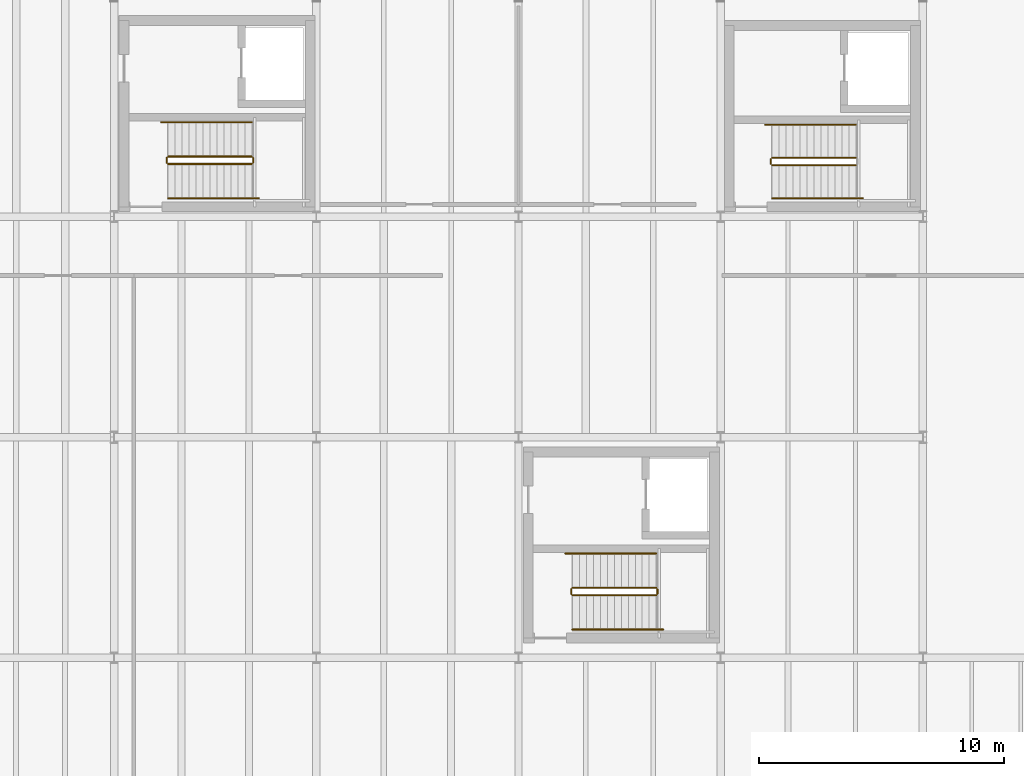
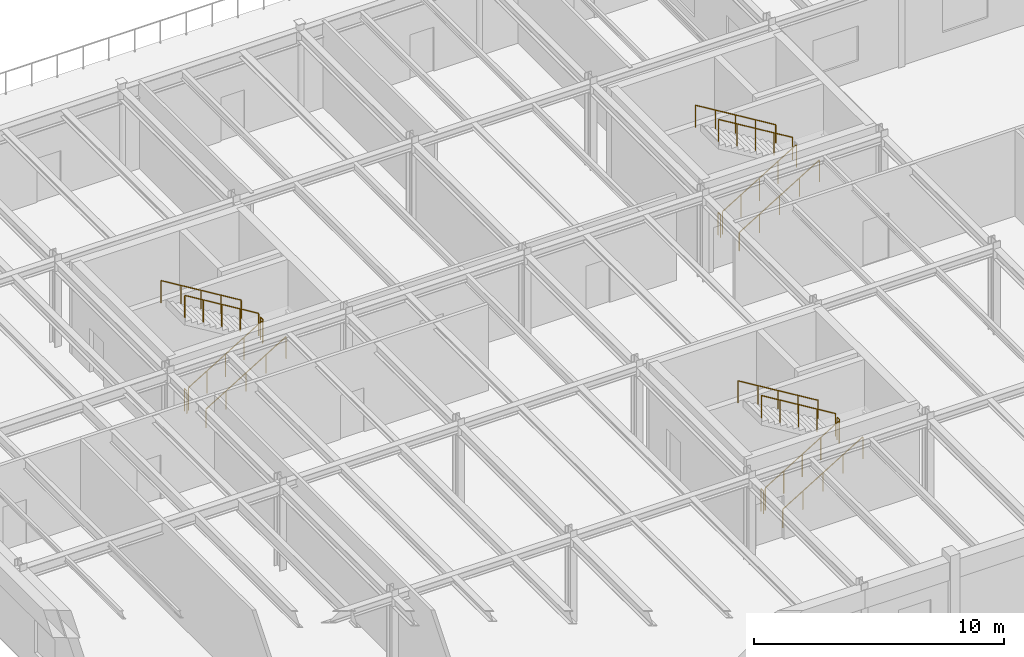
# One storey, part 58 of 64: 17 railings.
"""IFC4 building model written with IfcOpenShell, lengths in metres."""

from ifc_helpers import new_model, si_unit, direction, frame, origin, origin_2d, place, context, subcontext, project, spatial, circle, extrude, material, layer, layer_set, type_object, element, save


model = new_model("IFC4")

# Units and contexts
model_context = context("Model", 3, precision=1e-05, world=origin(), true_north=direction((0.0, 1.0)))
body_context = subcontext(model_context, "Body", "Model", "MODEL_VIEW")
ifc_project = project(units=[si_unit("LENGTHUNIT", "METRE"), si_unit("AREAUNIT", "SQUARE_METRE"), si_unit("VOLUMEUNIT", "CUBIC_METRE"), si_unit("PLANEANGLEUNIT", "RADIAN"), si_unit("MASSUNIT", "GRAM", prefix="KILO")], contexts=[model_context])

# Site, building, storey
site_placement = place(None, origin())
site = spatial("IfcSite", under=ifc_project, at=site_placement, CompositionType="ELEMENT")
building_placement = place(site_placement, origin())
building = spatial("IfcBuilding", under=site, at=building_placement, Name="Montealbar Specialist Clinic", CompositionType="ELEMENT")
storey_placement = place(building_placement, frame((0.0, 0.0, 5.10009765625)))
storey = spatial("IfcBuildingStorey", under=building, at=storey_placement, Name="L01", CompositionType="ELEMENT", Elevation=5.10009765625)

# Railings
ifc_material = material(Name="Steel S355", Category="steel")
ifc_layer_1 = layer(ifc_material, 0.050048828125, Name="Steel S355", Category="steel")
ifc_layer_set_1 = layer_set([ifc_layer_1], Name="Steel S355")
railing_type_1 = type_object("IfcRailingType", Name="RAIL-STAIR-BAL-1100", PredefinedType="BALUSTRADE", material=ifc_layer_set_1)
railing_1_placement = place(storey_placement, frame((68.199951171875, 29.14990234375, 0.173095703125)))
element("IfcRailing", 1, at=railing_1_placement, inside=storey, type_object=railing_type_1, Name="L01 ST-03 stair guard 1", PredefinedType="BALUSTRADE", context=body_context, shape_type="SweptSolid", body=[
    extrude(circle(Radius=0.02392578125, at=origin_2d()), frame((0.0, 0.0, 1.076171875), z_axis=(0.854745945586, 0.0, 0.519046595696), x_axis=(0.0, 1.0, 0.0)), (0.0, 0.0, 1.0), 4.00146484375),
    extrude(circle(Radius=0.02099609375, at=origin_2d()), frame((0.0, 0.0, -0.02490234375)), (0.0, 0.0, 1.0), 1.076904296875),
    extrude(circle(Radius=0.02099609375, at=origin_2d()), frame((0.85498046875, 0.0, 0.494140625)), (0.0, 0.0, 1.0), 1.076904296875),
    extrude(circle(Radius=0.02099609375, at=origin_2d()), frame((1.7099609375, 0.0, 1.013427734375)), (0.0, 0.0, 1.0), 1.076904296875),
    extrude(circle(Radius=0.02099609375, at=origin_2d()), frame((2.565185546875, 0.0, 1.53271484375)), (0.0, 0.0, 1.0), 1.076904296875),
    extrude(circle(Radius=0.02099609375, at=origin_2d()), frame((3.420166015625, 0.0, 2.052001953125)), (0.0, 0.0, 1.0), 1.076904296875),
])
railing_2_placement = place(storey_placement, frame((71.669921875, 29.199951171875, 2.25)))
element("IfcRailing", 2, at=railing_2_placement, inside=storey, type_object=railing_type_1, Name="L01 ST-03 stair guard 2", PredefinedType="BALUSTRADE", context=body_context, shape_type="SweptSolid", body=[
    extrude(circle(Radius=0.02392578125, at=origin_2d()), frame((0.0, 0.0, 1.076171875), z_axis=(0.0, 1.0, 0.0), x_axis=(-1.0, 0.0, 0.0)), (0.0, 0.0, 1.0), 0.199951171875),
    extrude(circle(Radius=0.02099609375, at=origin_2d()), frame((0.0, 0.0, -0.02490234375)), (0.0, 0.0, 1.0), 1.076904296875),
    extrude(circle(Radius=0.02099609375, at=origin_2d()), frame((0.0, 0.199951171875, -0.02490234375)), (0.0, 0.0, 1.0), 1.076904296875),
])
railing_3_placement = place(storey_placement, frame((71.6201171875, 29.449951171875, 2.423095703125)))
element("IfcRailing", 3, at=railing_3_placement, inside=storey, type_object=railing_type_1, Name="L01 ST-03 stair guard 3", PredefinedType="BALUSTRADE", context=body_context, shape_type="SweptSolid", body=[
    extrude(circle(Radius=0.02392578125, at=origin_2d()), frame((0.0, 0.0, 1.076171875), z_axis=(-0.854745945586, 0.0, 0.519046595696), x_axis=(0.0, -1.0, 0.0)), (0.0, 0.0, 1.0), 4.00146484375),
    extrude(circle(Radius=0.02099609375, at=origin_2d()), frame((0.0, 0.0, -0.02490234375)), (0.0, 0.0, 1.0), 1.076904296875),
    extrude(circle(Radius=0.02099609375, at=origin_2d()), frame((-0.85498046875, 0.0, 0.494140625)), (0.0, 0.0, 1.0), 1.076904296875),
    extrude(circle(Radius=0.02099609375, at=origin_2d()), frame((-1.7099609375, 0.0, 1.013427734375)), (0.0, 0.0, 1.0), 1.076904296875),
    extrude(circle(Radius=0.02099609375, at=origin_2d()), frame((-2.565185546875, 0.0, 1.53271484375)), (0.0, 0.0, 1.0), 1.076904296875),
    extrude(circle(Radius=0.02099609375, at=origin_2d()), frame((-3.420166015625, 0.0, 2.052001953125)), (0.0, 0.0, 1.0), 1.076904296875),
])
railing_4_placement = place(storey_placement, frame((68.14990234375, 29.199951171875, 0.0)))
element("IfcRailing", 4, at=railing_4_placement, inside=storey, type_object=railing_type_1, Name="L01 ST-03 stair guard 4", PredefinedType="BALUSTRADE", context=body_context, shape_type="SweptSolid", body=[
    extrude(circle(Radius=0.02392578125, at=origin_2d()), frame((0.0, 0.0, 1.076171875), z_axis=(0.0, 1.0, 0.0), x_axis=(-1.0, 0.0, 0.0)), (0.0, 0.0, 1.0), 0.199951171875),
    extrude(circle(Radius=0.02099609375, at=origin_2d()), frame((0.0, 0.0, -0.02490234375)), (0.0, 0.0, 1.0), 1.076904296875),
    extrude(circle(Radius=0.02099609375, at=origin_2d()), frame((0.0, 0.199951171875, -0.02490234375)), (0.0, 0.0, 1.0), 1.076904296875),
])
railing_5_placement = place(storey_placement, frame((84.699951171875, 11.550048828125, 0.173095703125)))
element("IfcRailing", 5, at=railing_5_placement, inside=storey, type_object=railing_type_1, Name="L01 ST-04 stair guard 1", PredefinedType="BALUSTRADE", context=body_context, shape_type="SweptSolid", body=[
    extrude(circle(Radius=0.02392578125, at=origin_2d()), frame((0.0, 0.0, 1.076171875), z_axis=(0.854745945586, 0.0, 0.519046595696), x_axis=(0.0, 1.0, 0.0)), (0.0, 0.0, 1.0), 4.00146484375),
    extrude(circle(Radius=0.02099609375, at=origin_2d()), frame((0.0, 0.0, -0.02490234375)), (0.0, 0.0, 1.0), 1.076904296875),
    extrude(circle(Radius=0.02099609375, at=origin_2d()), frame((0.85498046875, 0.0, 0.494140625)), (0.0, 0.0, 1.0), 1.076904296875),
    extrude(circle(Radius=0.02099609375, at=origin_2d()), frame((1.7099609375, 0.0, 1.013427734375)), (0.0, 0.0, 1.0), 1.076904296875),
    extrude(circle(Radius=0.02099609375, at=origin_2d()), frame((2.565185546875, 0.0, 1.53271484375)), (0.0, 0.0, 1.0), 1.076904296875),
    extrude(circle(Radius=0.02099609375, at=origin_2d()), frame((3.420166015625, 0.0, 2.052001953125)), (0.0, 0.0, 1.0), 1.076904296875),
])
railing_6_placement = place(storey_placement, frame((88.169921875, 11.60009765625, 2.25)))
element("IfcRailing", 6, at=railing_6_placement, inside=storey, type_object=railing_type_1, Name="L01 ST-04 stair guard 2", PredefinedType="BALUSTRADE", context=body_context, shape_type="SweptSolid", body=[
    extrude(circle(Radius=0.02392578125, at=origin_2d()), frame((0.0, 0.0, 1.076171875), z_axis=(0.0, 1.0, 0.0), x_axis=(-1.0, 0.0, 0.0)), (0.0, 0.0, 1.0), 0.199951171875),
    extrude(circle(Radius=0.02099609375, at=origin_2d()), frame((0.0, 0.0, -0.02490234375)), (0.0, 0.0, 1.0), 1.076904296875),
    extrude(circle(Radius=0.02099609375, at=origin_2d()), frame((0.0, 0.199951171875, -0.02490234375)), (0.0, 0.0, 1.0), 1.076904296875),
])
railing_7_placement = place(storey_placement, frame((88.1201171875, 11.85009765625, 2.423095703125)))
element("IfcRailing", 7, at=railing_7_placement, inside=storey, type_object=railing_type_1, Name="L01 ST-04 stair guard 3", PredefinedType="BALUSTRADE", context=body_context, shape_type="SweptSolid", body=[
    extrude(circle(Radius=0.02392578125, at=origin_2d()), frame((0.0, 0.0, 1.076171875), z_axis=(-0.854745945586, 0.0, 0.519046595696), x_axis=(0.0, -1.0, 0.0)), (0.0, 0.0, 1.0), 4.00146484375),
    extrude(circle(Radius=0.02099609375, at=origin_2d()), frame((0.0, 0.0, -0.02490234375)), (0.0, 0.0, 1.0), 1.076904296875),
    extrude(circle(Radius=0.02099609375, at=origin_2d()), frame((-0.85498046875, 0.0, 0.494140625)), (0.0, 0.0, 1.0), 1.076904296875),
    extrude(circle(Radius=0.02099609375, at=origin_2d()), frame((-1.7099609375, 0.0, 1.013427734375)), (0.0, 0.0, 1.0), 1.076904296875),
    extrude(circle(Radius=0.02099609375, at=origin_2d()), frame((-2.565185546875, 0.0, 1.53271484375)), (0.0, 0.0, 1.0), 1.076904296875),
    extrude(circle(Radius=0.02099609375, at=origin_2d()), frame((-3.420166015625, 0.0, 2.052001953125)), (0.0, 0.0, 1.0), 1.076904296875),
])
railing_8_placement = place(storey_placement, frame((84.64990234375, 11.60009765625, 0.0)))
element("IfcRailing", 8, at=railing_8_placement, inside=storey, type_object=railing_type_1, Name="L01 ST-04 stair guard 4", PredefinedType="BALUSTRADE", context=body_context, shape_type="SweptSolid", body=[
    extrude(circle(Radius=0.02392578125, at=origin_2d()), frame((0.0, 0.0, 1.076171875), z_axis=(0.0, 1.0, 0.0), x_axis=(-1.0, 0.0, 0.0)), (0.0, 0.0, 1.0), 0.199951171875),
    extrude(circle(Radius=0.02099609375, at=origin_2d()), frame((0.0, 0.0, -0.02490234375)), (0.0, 0.0, 1.0), 1.076904296875),
    extrude(circle(Radius=0.02099609375, at=origin_2d()), frame((0.0, 0.199951171875, -0.02490234375)), (0.0, 0.0, 1.0), 1.076904296875),
])
railing_9_placement = place(storey_placement, frame((92.85009765625, 29.10009765625, 0.173095703125)))
element("IfcRailing", 9, at=railing_9_placement, inside=storey, type_object=railing_type_1, Name="L01 ST-05 stair guard 1", PredefinedType="BALUSTRADE", context=body_context, shape_type="SweptSolid", body=[
    extrude(circle(Radius=0.02392578125, at=origin_2d()), frame((0.0, 0.0, 1.076171875), z_axis=(0.854729506542, 0.0, 0.519073665916), x_axis=(0.0, 1.0, 0.0)), (0.0, 0.0, 1.0), 4.001220703125),
    extrude(circle(Radius=0.02099609375, at=origin_2d()), frame((0.0, 0.0, -0.02490234375)), (0.0, 0.0, 1.0), 1.076904296875),
    extrude(circle(Radius=0.02099609375, at=origin_2d()), frame((0.85498046875, 0.0, 0.494140625)), (0.0, 0.0, 1.0), 1.076904296875),
    extrude(circle(Radius=0.02099609375, at=origin_2d()), frame((1.7099609375, 0.0, 1.013427734375)), (0.0, 0.0, 1.0), 1.076904296875),
    extrude(circle(Radius=0.02099609375, at=origin_2d()), frame((2.56494140625, 0.0, 1.53271484375)), (0.0, 0.0, 1.0), 1.076904296875),
    extrude(circle(Radius=0.02099609375, at=origin_2d()), frame((3.419921875, 0.0, 2.052001953125)), (0.0, 0.0, 1.0), 1.076904296875),
])
railing_10_placement = place(storey_placement, frame((96.27001953125, 29.39990234375, 2.423095703125)))
element("IfcRailing", 10, at=railing_10_placement, inside=storey, type_object=railing_type_1, Name="L01 ST-05 stair guard 3", PredefinedType="BALUSTRADE", context=body_context, shape_type="SweptSolid", body=[
    extrude(circle(Radius=0.02392578125, at=origin_2d()), frame((0.0, 0.0, 1.076171875), z_axis=(-0.854729506542, 0.0, 0.519073665916), x_axis=(0.0, -1.0, 0.0)), (0.0, 0.0, 1.0), 4.001220703125),
    extrude(circle(Radius=0.02099609375, at=origin_2d()), frame((0.0, 0.0, -0.02490234375)), (0.0, 0.0, 1.0), 1.076904296875),
    extrude(circle(Radius=0.02099609375, at=origin_2d()), frame((-0.85498046875, 0.0, 0.494140625)), (0.0, 0.0, 1.0), 1.076904296875),
    extrude(circle(Radius=0.02099609375, at=origin_2d()), frame((-1.7099609375, 0.0, 1.013427734375)), (0.0, 0.0, 1.0), 1.076904296875),
    extrude(circle(Radius=0.02099609375, at=origin_2d()), frame((-2.56494140625, 0.0, 1.53271484375)), (0.0, 0.0, 1.0), 1.076904296875),
    extrude(circle(Radius=0.02099609375, at=origin_2d()), frame((-3.419921875, 0.0, 2.052001953125)), (0.0, 0.0, 1.0), 1.076904296875),
])
railing_11_placement = place(storey_placement, frame((92.800048828125, 29.14990234375, 0.0)))
element("IfcRailing", 11, at=railing_11_placement, inside=storey, type_object=railing_type_1, Name="L01 ST-05 stair guard 4", PredefinedType="BALUSTRADE", context=body_context, shape_type="SweptSolid", body=[
    extrude(circle(Radius=0.02392578125, at=origin_2d()), frame((0.0, 0.0, 1.076171875), z_axis=(0.0, 1.0, 0.0), x_axis=(-1.0, 0.0, 0.0)), (0.0, 0.0, 1.0), 0.2001953125),
    extrude(circle(Radius=0.02099609375, at=origin_2d()), frame((0.0, 0.0, -0.02490234375)), (0.0, 0.0, 1.0), 1.076904296875),
    extrude(circle(Radius=0.02099609375, at=origin_2d()), frame((0.0, 0.2001953125, -0.02490234375)), (0.0, 0.0, 1.0), 1.076904296875),
])
ifc_layer_2 = layer(ifc_material, 0.044921875, Name="Steel S355", Category="steel")
ifc_layer_set_2 = layer_set([ifc_layer_2], Name="Steel S355")
railing_type_2 = type_object("IfcRailingType", Name="RAIL-STAIR-HR-900", PredefinedType="HANDRAIL", material=ifc_layer_set_2)
railing_12_placement = place(storey_placement, frame((68.199951171875, 27.75, 0.173095703125)))
element("IfcRailing", 12, at=railing_12_placement, inside=storey, type_object=railing_type_2, Name="L01 ST-03 stair handrail 1", PredefinedType="HANDRAIL", context=body_context, shape_type="SweptSolid", body=[
    extrude(circle(Radius=0.02392578125, at=origin_2d()), frame((0.0, 0.0, 0.8759765625), z_axis=(0.854737540875, 0.0, 0.519060435998), x_axis=(0.0, 1.0, 0.0)), (0.0, 0.0, 1.0), 4.334716796875),
    extrude(circle(Radius=0.02099609375, at=origin_2d()), frame((0.0, 0.0, -0.02490234375)), (0.0, 0.0, 1.0), 0.876708984375),
    extrude(circle(Radius=0.02099609375, at=origin_2d()), frame((0.92626953125, 0.0, 0.53759765625)), (0.0, 0.0, 1.0), 0.876708984375),
    extrude(circle(Radius=0.02099609375, at=origin_2d()), frame((1.8525390625, 0.0, 1.10009765625)), (0.0, 0.0, 1.0), 0.876708984375),
    extrude(circle(Radius=0.02099609375, at=origin_2d()), frame((2.77880859375, 0.0, 1.66259765625)), (0.0, 0.0, 1.0), 0.876708984375),
    extrude(circle(Radius=0.02099609375, at=origin_2d()), frame((3.705078125, 0.0, 2.052001953125)), (0.0, 0.0, 1.0), 1.0498046875),
])
railing_13_placement = place(storey_placement, frame((71.6201171875, 30.85009765625, 2.423095703125)))
element("IfcRailing", 13, at=railing_13_placement, inside=storey, type_object=railing_type_2, Name="L01 ST-03 stair handrail 2", PredefinedType="HANDRAIL", context=body_context, shape_type="SweptSolid", body=[
    extrude(circle(Radius=0.02392578125, at=origin_2d()), frame((0.0, 0.0, 0.8759765625), z_axis=(-0.854737540875, 0.0, 0.519060435998), x_axis=(0.0, -1.0, 0.0)), (0.0, 0.0, 1.0), 4.334716796875),
    extrude(circle(Radius=0.02099609375, at=origin_2d()), frame((0.0, 0.0, -0.02490234375)), (0.0, 0.0, 1.0), 0.876708984375),
    extrude(circle(Radius=0.02099609375, at=origin_2d()), frame((-0.92626953125, 0.0, 0.53759765625)), (0.0, 0.0, 1.0), 0.876708984375),
    extrude(circle(Radius=0.02099609375, at=origin_2d()), frame((-1.8525390625, 0.0, 1.10009765625)), (0.0, 0.0, 1.0), 0.876708984375),
    extrude(circle(Radius=0.02099609375, at=origin_2d()), frame((-2.77880859375, 0.0, 1.66259765625)), (0.0, 0.0, 1.0), 0.876708984375),
    extrude(circle(Radius=0.02099609375, at=origin_2d()), frame((-3.705078125, 0.0, 2.052001953125)), (0.0, 0.0, 1.0), 1.0498046875),
])
railing_14_placement = place(storey_placement, frame((84.699951171875, 10.14990234375, 0.173095703125)))
element("IfcRailing", 14, at=railing_14_placement, inside=storey, type_object=railing_type_2, Name="L01 ST-04 stair handrail 1", PredefinedType="HANDRAIL", context=body_context, shape_type="SweptSolid", body=[
    extrude(circle(Radius=0.02392578125, at=origin_2d()), frame((0.0, 0.0, 0.8759765625), z_axis=(0.854737540875, 0.0, 0.519060435998), x_axis=(0.0, 1.0, 0.0)), (0.0, 0.0, 1.0), 4.334716796875),
    extrude(circle(Radius=0.02099609375, at=origin_2d()), frame((0.0, 0.0, -0.02490234375)), (0.0, 0.0, 1.0), 0.876708984375),
    extrude(circle(Radius=0.02099609375, at=origin_2d()), frame((0.92626953125, 0.0, 0.53759765625)), (0.0, 0.0, 1.0), 0.876708984375),
    extrude(circle(Radius=0.02099609375, at=origin_2d()), frame((1.8525390625, 0.0, 1.10009765625)), (0.0, 0.0, 1.0), 0.876708984375),
    extrude(circle(Radius=0.02099609375, at=origin_2d()), frame((2.77880859375, 0.0, 1.66259765625)), (0.0, 0.0, 1.0), 0.876708984375),
    extrude(circle(Radius=0.02099609375, at=origin_2d()), frame((3.705078125, 0.0, 2.052001953125)), (0.0, 0.0, 1.0), 1.0498046875),
])
railing_15_placement = place(storey_placement, frame((88.1201171875, 13.25, 2.423095703125)))
element("IfcRailing", 15, at=railing_15_placement, inside=storey, type_object=railing_type_2, Name="L01 ST-04 stair handrail 2", PredefinedType="HANDRAIL", context=body_context, shape_type="SweptSolid", body=[
    extrude(circle(Radius=0.02392578125, at=origin_2d()), frame((0.0, 0.0, 0.8759765625), z_axis=(-0.854737540875, 0.0, 0.519060435998), x_axis=(0.0, -1.0, 0.0)), (0.0, 0.0, 1.0), 4.334716796875),
    extrude(circle(Radius=0.02099609375, at=origin_2d()), frame((0.0, 0.0, -0.02490234375)), (0.0, 0.0, 1.0), 0.876708984375),
    extrude(circle(Radius=0.02099609375, at=origin_2d()), frame((-0.92626953125, 0.0, 0.53759765625)), (0.0, 0.0, 1.0), 0.876708984375),
    extrude(circle(Radius=0.02099609375, at=origin_2d()), frame((-1.8525390625, 0.0, 1.10009765625)), (0.0, 0.0, 1.0), 0.876708984375),
    extrude(circle(Radius=0.02099609375, at=origin_2d()), frame((-2.77880859375, 0.0, 1.66259765625)), (0.0, 0.0, 1.0), 0.876708984375),
    extrude(circle(Radius=0.02099609375, at=origin_2d()), frame((-3.705078125, 0.0, 2.052001953125)), (0.0, 0.0, 1.0), 1.0498046875),
])
railing_16_placement = place(storey_placement, frame((92.85009765625, 27.75, 0.173095703125)))
element("IfcRailing", 16, at=railing_16_placement, inside=storey, type_object=railing_type_2, Name="L01 ST-05 stair handrail 1", PredefinedType="HANDRAIL", context=body_context, shape_type="SweptSolid", body=[
    extrude(circle(Radius=0.02392578125, at=origin_2d()), frame((0.0, 0.0, 0.8759765625), z_axis=(0.854722365387, 0.0, 0.519085424673), x_axis=(0.0, 1.0, 0.0)), (0.0, 0.0, 1.0), 4.33447265625),
    extrude(circle(Radius=0.02099609375, at=origin_2d()), frame((0.0, 0.0, -0.02490234375)), (0.0, 0.0, 1.0), 0.876708984375),
    extrude(circle(Radius=0.02099609375, at=origin_2d()), frame((0.92626953125, 0.0, 0.53759765625)), (0.0, 0.0, 1.0), 0.876708984375),
    extrude(circle(Radius=0.02099609375, at=origin_2d()), frame((1.8525390625, 0.0, 1.10009765625)), (0.0, 0.0, 1.0), 0.876708984375),
    extrude(circle(Radius=0.02099609375, at=origin_2d()), frame((2.778564453125, 0.0, 1.66259765625)), (0.0, 0.0, 1.0), 0.876708984375),
    extrude(circle(Radius=0.02099609375, at=origin_2d()), frame((3.704833984375, 0.0, 2.052001953125)), (0.0, 0.0, 1.0), 1.0498046875),
])
railing_17_placement = place(storey_placement, frame((96.27001953125, 30.75, 2.423095703125)))
element("IfcRailing", 17, at=railing_17_placement, inside=storey, type_object=railing_type_2, Name="L01 ST-05 stair handrail 2", PredefinedType="HANDRAIL", context=body_context, shape_type="SweptSolid", body=[
    extrude(circle(Radius=0.02392578125, at=origin_2d()), frame((0.0, 0.0, 0.8759765625), z_axis=(-0.854737540875, 0.0, 0.519060435998), x_axis=(0.0, -1.0, 0.0)), (0.0, 0.0, 1.0), 4.334716796875),
    extrude(circle(Radius=0.02099609375, at=origin_2d()), frame((0.0, 0.0, -0.02490234375)), (0.0, 0.0, 1.0), 0.876708984375),
    extrude(circle(Radius=0.02099609375, at=origin_2d()), frame((-0.92626953125, 0.0, 0.53759765625)), (0.0, 0.0, 1.0), 0.876708984375),
    extrude(circle(Radius=0.02099609375, at=origin_2d()), frame((-1.8525390625, 0.0, 1.10009765625)), (0.0, 0.0, 1.0), 0.876708984375),
    extrude(circle(Radius=0.02099609375, at=origin_2d()), frame((-2.77880859375, 0.0, 1.66259765625)), (0.0, 0.0, 1.0), 0.876708984375),
    extrude(circle(Radius=0.02099609375, at=origin_2d()), frame((-3.705078125, 0.0, 2.052001953125)), (0.0, 0.0, 1.0), 1.0498046875),
])

save(model, "model.ifc")
